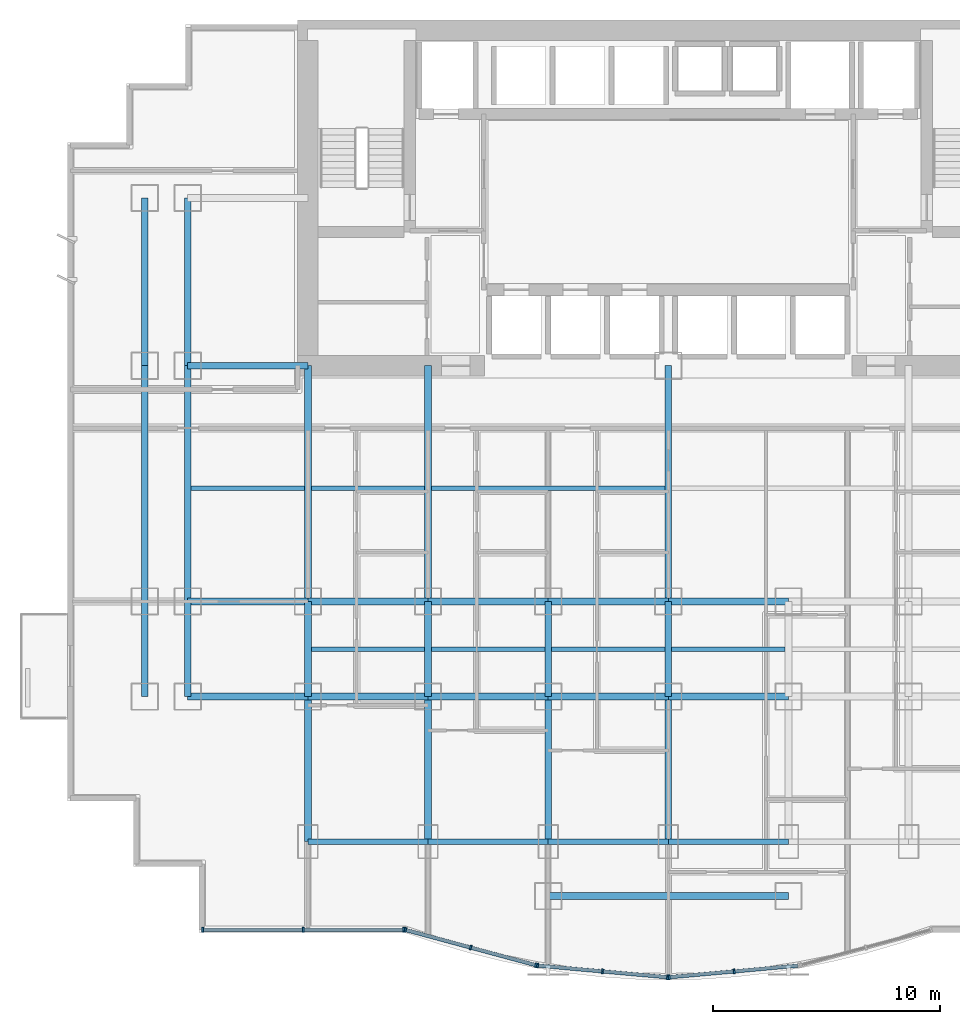
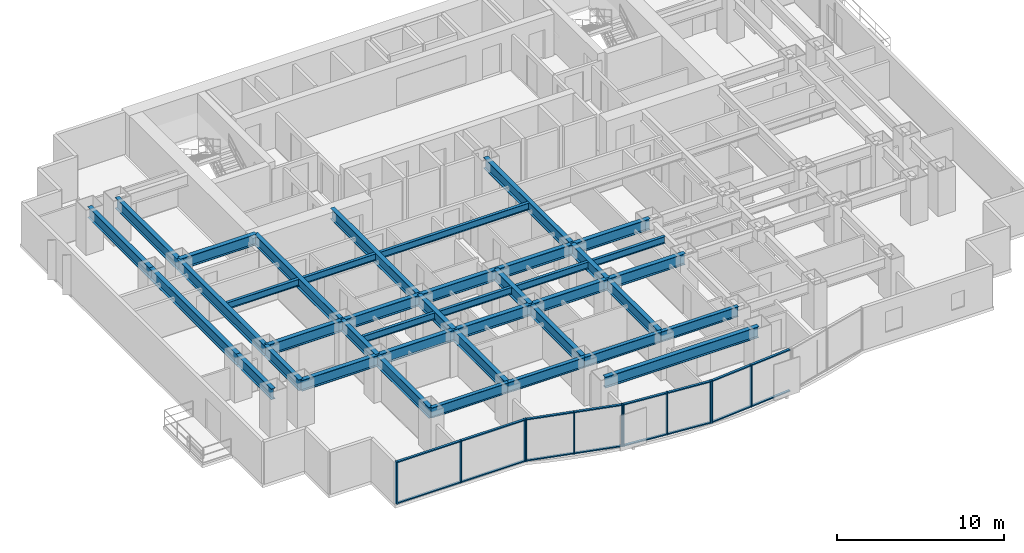
# One storey, part 2 of 10: 40 beams, 27 members, 4 elements without a shape of their own.
"""IFC4 building model written with IfcOpenShell, lengths in metres."""

from ifc_helpers import new_model, si_unit, direction, frame, origin, origin_2d, place, context, subcontext, project, spatial, rectangle, i_section, extrude, source, transform, mapped, material, layer, layer_set, material_profile, profile_set, type_object, element, aggregate, save


model = new_model("IFC4")

# Units and contexts
model_context = context("Model", 3, precision=1e-05, world=origin(), true_north=direction((0.0, 1.0)))
body_context = subcontext(model_context, "Body", "Model", "MODEL_VIEW")
ifc_project = project(units=[si_unit("LENGTHUNIT", "METRE"), si_unit("AREAUNIT", "SQUARE_METRE"), si_unit("VOLUMEUNIT", "CUBIC_METRE"), si_unit("PLANEANGLEUNIT", "RADIAN"), si_unit("MASSUNIT", "GRAM", prefix="KILO")], contexts=[model_context])

# Site, building, storey
site_placement = place(None, origin())
site = spatial("IfcSite", under=ifc_project, at=site_placement, CompositionType="ELEMENT")
building_placement = place(site_placement, origin())
building = spatial("IfcBuilding", under=site, at=building_placement, Name="Qianlan Lanfeng Residences", CompositionType="ELEMENT")
storey_placement = place(building_placement, frame((0.0, 0.0, 40.699951171875)))
storey = spatial("IfcBuildingStorey", under=building, at=storey_placement, Name="L10", CompositionType="ELEMENT", Elevation=40.699951171875)

# Beams
ifc_material_1 = material(Name="Steel SN490B", Category="steel")
ifc_material_profile_1 = material_profile(ifc_material_1, i_section(OverallWidth=0.300048828125, OverallDepth=0.800048828125, WebThickness=0.01611328125, FlangeThickness=0.028076171875, at=origin_2d()), Name="H 800x300x16x28")
ifc_profile_set_1 = profile_set([ifc_material_profile_1], Name="Steel SN490B")
beam_type_1 = type_object("IfcBeamType", Name="G-950", PredefinedType="BEAM", material=ifc_profile_set_1)
beam_1_placement = place(storey_placement, frame((21.199951171875, 1.800048828125, 2.679931640625), z_axis=(1.0, 0.0, 0.0), x_axis=(0.0, 1.0, 0.0)))
element("IfcBeam", 1, at=beam_1_placement, inside=storey, type_object=beam_type_1, Name="Structural beam G-950", PredefinedType="BEAM", context=body_context, shape_type="SweptSolid", body=[
    extrude(i_section(OverallWidth=0.300048828125, OverallDepth=0.800048828125, WebThickness=0.01611328125, FlangeThickness=0.028076171875, at=origin_2d()), origin(), (0.0, 0.0, 1.0), 10.60009765625),
])
beam_2_placement = place(storey_placement, frame((5.300048828125, 10.60009765625, 2.679931640625), z_axis=(1.0, 0.0, 0.0), x_axis=(0.0, 1.0, 0.0)))
element("IfcBeam", 2, at=beam_2_placement, inside=storey, type_object=beam_type_1, Name="Structural beam G-950", PredefinedType="BEAM", context=body_context, shape_type="SweptSolid", body=[
    extrude(i_section(OverallWidth=0.300048828125, OverallDepth=0.800048828125, WebThickness=0.01611328125, FlangeThickness=0.028076171875, at=origin_2d()), origin(), (0.0, 0.0, 1.0), 5.300048828125),
])
beam_3_placement = place(storey_placement, frame((10.60009765625, 10.60009765625, 2.679931640625), z_axis=(1.0, 0.0, 0.0), x_axis=(0.0, 1.0, 0.0)))
element("IfcBeam", 3, at=beam_3_placement, inside=storey, type_object=beam_type_1, Name="Structural beam G-950", PredefinedType="BEAM", context=body_context, shape_type="SweptSolid", body=[
    extrude(i_section(OverallWidth=0.300048828125, OverallDepth=0.800048828125, WebThickness=0.01611328125, FlangeThickness=0.028076171875, at=origin_2d()), origin(), (0.0, 0.0, 1.0), 5.2998046875),
])
for number, where, z_axis, x_axis, name in (
    (4, (15.89990234375, 10.60009765625, 2.679931640625), (1.0, 0.0, 0.0), (0.0, 1.0, 0.0), "Structural beam G-950"),
    (5, (21.199951171875, 10.60009765625, 2.679931640625), (1.0, 0.0, 0.0), (0.0, 1.0, 0.0), "Structural beam G-950"),
    (6, (26.5, 10.60009765625, 2.679931640625), (1.0, 0.0, 0.0), (0.0, 1.0, 0.0), "Structural beam G-950"),
    (7, (5.300048828125, 14.800048828125, 2.679931640625), (1.0, 0.0, 0.0), (0.0, 1.0, 0.0), "Structural beam G-950"),
):
    element("IfcBeam", number, at=place(storey_placement, frame(where, z_axis=z_axis, x_axis=x_axis)), inside=storey, type_object=beam_type_1, Name=name, PredefinedType="BEAM", context=body_context, shape_type="SweptSolid", body=[
        extrude(i_section(OverallWidth=0.300048828125, OverallDepth=0.800048828125, WebThickness=0.01611328125, FlangeThickness=0.028076171875, at=origin_2d()), origin(), (0.0, 0.0, 1.0), 5.300048828125),
    ])
beam_4_placement = place(storey_placement, frame((10.60009765625, 14.800048828125, 2.679931640625), z_axis=(1.0, 0.0, 0.0), x_axis=(0.0, 1.0, 0.0)))
element("IfcBeam", 8, at=beam_4_placement, inside=storey, type_object=beam_type_1, Name="Structural beam G-950", PredefinedType="BEAM", context=body_context, shape_type="SweptSolid", body=[
    extrude(i_section(OverallWidth=0.300048828125, OverallDepth=0.800048828125, WebThickness=0.01611328125, FlangeThickness=0.028076171875, at=origin_2d()), origin(), (0.0, 0.0, 1.0), 5.2998046875),
])
for number, where, z_axis, x_axis, name in (
    (9, (15.89990234375, 14.800048828125, 2.679931640625), (1.0, 0.0, 0.0), (0.0, 1.0, 0.0), "Structural beam G-950"),
    (10, (21.199951171875, 14.800048828125, 2.679931640625), (1.0, 0.0, 0.0), (0.0, 1.0, 0.0), "Structural beam G-950"),
    (11, (26.5, 14.800048828125, 2.679931640625), (1.0, 0.0, 0.0), (0.0, 1.0, 0.0), "Structural beam G-950"),
    (12, (5.300048828125, 25.199951171875, 2.679931640625), (1.0, 0.0, 0.0), (0.0, 1.0, 0.0), "Structural beam G-950"),
):
    element("IfcBeam", number, at=place(storey_placement, frame(where, z_axis=z_axis, x_axis=x_axis)), inside=storey, type_object=beam_type_1, Name=name, PredefinedType="BEAM", context=body_context, shape_type="SweptSolid", body=[
        extrude(i_section(OverallWidth=0.300048828125, OverallDepth=0.800048828125, WebThickness=0.01611328125, FlangeThickness=0.028076171875, at=origin_2d()), origin(), (0.0, 0.0, 1.0), 5.300048828125),
    ])
beam_5_placement = place(storey_placement, frame((3.39990234375, 10.60009765625, 2.679931640625), z_axis=(0.0, 1.0, 0.0), x_axis=(-1.0, 0.0, 0.0)))
element("IfcBeam", 13, at=beam_5_placement, inside=storey, type_object=beam_type_1, Name="Structural beam G-950", PredefinedType="BEAM", context=body_context, shape_type="SweptSolid", body=[
    extrude(i_section(OverallWidth=0.300048828125, OverallDepth=0.800048828125, WebThickness=0.01611328125, FlangeThickness=0.028076171875, at=origin_2d()), origin(), (0.0, 0.0, 1.0), 4.199951171875),
])
beam_6_placement = place(storey_placement, frame((3.39990234375, 14.800048828125, 2.679931640625), z_axis=(0.0, 1.0, 0.0), x_axis=(-1.0, 0.0, 0.0)))
element("IfcBeam", 14, at=beam_6_placement, inside=storey, type_object=beam_type_1, Name="Structural beam G-950", PredefinedType="BEAM", context=body_context, shape_type="SweptSolid", body=[
    extrude(i_section(OverallWidth=0.300048828125, OverallDepth=0.800048828125, WebThickness=0.01611328125, FlangeThickness=0.028076171875, at=origin_2d()), origin(), (0.0, 0.0, 1.0), 10.39990234375),
])
beam_7_placement = place(storey_placement, frame((3.39990234375, 25.199951171875, 2.679931640625), z_axis=(0.0, 1.0, 0.0), x_axis=(-1.0, 0.0, 0.0)))
element("IfcBeam", 15, at=beam_7_placement, inside=storey, type_object=beam_type_1, Name="Structural beam G-950", PredefinedType="BEAM", context=body_context, shape_type="SweptSolid", body=[
    extrude(i_section(OverallWidth=0.300048828125, OverallDepth=0.800048828125, WebThickness=0.01611328125, FlangeThickness=0.028076171875, at=origin_2d()), origin(), (0.0, 0.0, 1.0), 7.400146484375),
])
beam_8_placement = place(storey_placement, frame((5.300048828125, 10.60009765625, 2.679931640625), z_axis=(0.0, 1.0, 0.0), x_axis=(-1.0, 0.0, 0.0)))
element("IfcBeam", 16, at=beam_8_placement, inside=storey, type_object=beam_type_1, Name="Structural beam G-950", PredefinedType="BEAM", context=body_context, shape_type="SweptSolid", body=[
    extrude(i_section(OverallWidth=0.300048828125, OverallDepth=0.800048828125, WebThickness=0.01611328125, FlangeThickness=0.028076171875, at=origin_2d()), origin(), (0.0, 0.0, 1.0), 4.199951171875),
])
beam_9_placement = place(storey_placement, frame((5.300048828125, 14.800048828125, 2.679931640625), z_axis=(0.0, 1.0, 0.0), x_axis=(-1.0, 0.0, 0.0)))
element("IfcBeam", 17, at=beam_9_placement, inside=storey, type_object=beam_type_1, Name="Structural beam G-950", PredefinedType="BEAM", context=body_context, shape_type="SweptSolid", body=[
    extrude(i_section(OverallWidth=0.300048828125, OverallDepth=0.800048828125, WebThickness=0.01611328125, FlangeThickness=0.028076171875, at=origin_2d()), origin(), (0.0, 0.0, 1.0), 10.39990234375),
])
beam_10_placement = place(storey_placement, frame((5.300048828125, 25.199951171875, 2.679931640625), z_axis=(0.0, 1.0, 0.0), x_axis=(-1.0, 0.0, 0.0)))
element("IfcBeam", 18, at=beam_10_placement, inside=storey, type_object=beam_type_1, Name="Structural beam G-950", PredefinedType="BEAM", context=body_context, shape_type="SweptSolid", body=[
    extrude(i_section(OverallWidth=0.300048828125, OverallDepth=0.800048828125, WebThickness=0.01611328125, FlangeThickness=0.028076171875, at=origin_2d()), origin(), (0.0, 0.0, 1.0), 7.400146484375),
])
beam_11_placement = place(storey_placement, frame((10.60009765625, 4.199951171875, 2.679931640625), z_axis=(0.0, 1.0, 0.0), x_axis=(-1.0, 0.0, 0.0)))
element("IfcBeam", 19, at=beam_11_placement, inside=storey, type_object=beam_type_1, Name="Structural beam G-950", PredefinedType="BEAM", context=body_context, shape_type="SweptSolid", body=[
    extrude(i_section(OverallWidth=0.300048828125, OverallDepth=0.800048828125, WebThickness=0.01611328125, FlangeThickness=0.028076171875, at=origin_2d()), origin(), (0.0, 0.0, 1.0), 6.400146484375),
])
beam_12_placement = place(storey_placement, frame((10.60009765625, 10.60009765625, 2.679931640625), z_axis=(0.0, 1.0, 0.0), x_axis=(-1.0, 0.0, 0.0)))
element("IfcBeam", 20, at=beam_12_placement, inside=storey, type_object=beam_type_1, Name="Structural beam G-950", PredefinedType="BEAM", context=body_context, shape_type="SweptSolid", body=[
    extrude(i_section(OverallWidth=0.300048828125, OverallDepth=0.800048828125, WebThickness=0.01611328125, FlangeThickness=0.028076171875, at=origin_2d()), origin(), (0.0, 0.0, 1.0), 4.199951171875),
])
beam_13_placement = place(storey_placement, frame((10.60009765625, 14.800048828125, 2.679931640625), z_axis=(0.0, 1.0, 0.0), x_axis=(-1.0, 0.0, 0.0)))
element("IfcBeam", 21, at=beam_13_placement, inside=storey, type_object=beam_type_1, Name="Structural beam G-950", PredefinedType="BEAM", context=body_context, shape_type="SweptSolid", body=[
    extrude(i_section(OverallWidth=0.300048828125, OverallDepth=0.800048828125, WebThickness=0.01611328125, FlangeThickness=0.028076171875, at=origin_2d()), origin(), (0.0, 0.0, 1.0), 10.39990234375),
])
beam_14_placement = place(storey_placement, frame((15.89990234375, 4.199951171875, 2.679931640625), z_axis=(0.0, 1.0, 0.0), x_axis=(-1.0, 0.0, 0.0)))
element("IfcBeam", 22, at=beam_14_placement, inside=storey, type_object=beam_type_1, Name="Structural beam G-950", PredefinedType="BEAM", context=body_context, shape_type="SweptSolid", body=[
    extrude(i_section(OverallWidth=0.300048828125, OverallDepth=0.800048828125, WebThickness=0.01611328125, FlangeThickness=0.028076171875, at=origin_2d()), origin(), (0.0, 0.0, 1.0), 6.400146484375),
])
beam_15_placement = place(storey_placement, frame((15.89990234375, 10.60009765625, 2.679931640625), z_axis=(0.0, 1.0, 0.0), x_axis=(-1.0, 0.0, 0.0)))
element("IfcBeam", 23, at=beam_15_placement, inside=storey, type_object=beam_type_1, Name="Structural beam G-950", PredefinedType="BEAM", context=body_context, shape_type="SweptSolid", body=[
    extrude(i_section(OverallWidth=0.300048828125, OverallDepth=0.800048828125, WebThickness=0.01611328125, FlangeThickness=0.028076171875, at=origin_2d()), origin(), (0.0, 0.0, 1.0), 4.199951171875),
])
beam_16_placement = place(storey_placement, frame((15.89990234375, 14.800048828125, 2.679931640625), z_axis=(0.0, 1.0, 0.0), x_axis=(-1.0, 0.0, 0.0)))
element("IfcBeam", 24, at=beam_16_placement, inside=storey, type_object=beam_type_1, Name="Structural beam G-950", PredefinedType="BEAM", context=body_context, shape_type="SweptSolid", body=[
    extrude(i_section(OverallWidth=0.300048828125, OverallDepth=0.800048828125, WebThickness=0.01611328125, FlangeThickness=0.028076171875, at=origin_2d()), origin(), (0.0, 0.0, 1.0), 10.39990234375),
])
beam_17_placement = place(storey_placement, frame((21.199951171875, 4.199951171875, 2.679931640625), z_axis=(0.0, 1.0, 0.0), x_axis=(-1.0, 0.0, 0.0)))
element("IfcBeam", 25, at=beam_17_placement, inside=storey, type_object=beam_type_1, Name="Structural beam G-950", PredefinedType="BEAM", context=body_context, shape_type="SweptSolid", body=[
    extrude(i_section(OverallWidth=0.300048828125, OverallDepth=0.800048828125, WebThickness=0.01611328125, FlangeThickness=0.028076171875, at=origin_2d()), origin(), (0.0, 0.0, 1.0), 6.400146484375),
])
beam_18_placement = place(storey_placement, frame((21.199951171875, 10.60009765625, 2.679931640625), z_axis=(0.0, 1.0, 0.0), x_axis=(-1.0, 0.0, 0.0)))
element("IfcBeam", 26, at=beam_18_placement, inside=storey, type_object=beam_type_1, Name="Structural beam G-950", PredefinedType="BEAM", context=body_context, shape_type="SweptSolid", body=[
    extrude(i_section(OverallWidth=0.300048828125, OverallDepth=0.800048828125, WebThickness=0.01611328125, FlangeThickness=0.028076171875, at=origin_2d()), origin(), (0.0, 0.0, 1.0), 4.199951171875),
])
beam_19_placement = place(storey_placement, frame((26.5, 4.199951171875, 2.679931640625), z_axis=(0.0, 1.0, 0.0), x_axis=(-1.0, 0.0, 0.0)))
element("IfcBeam", 27, at=beam_19_placement, inside=storey, type_object=beam_type_1, Name="Structural beam G-950", PredefinedType="BEAM", context=body_context, shape_type="SweptSolid", body=[
    extrude(i_section(OverallWidth=0.300048828125, OverallDepth=0.800048828125, WebThickness=0.01611328125, FlangeThickness=0.028076171875, at=origin_2d()), origin(), (0.0, 0.0, 1.0), 6.400146484375),
])
beam_20_placement = place(storey_placement, frame((26.5, 10.60009765625, 2.679931640625), z_axis=(0.0, 1.0, 0.0), x_axis=(-1.0, 0.0, 0.0)))
element("IfcBeam", 28, at=beam_20_placement, inside=storey, type_object=beam_type_1, Name="Structural beam G-950", PredefinedType="BEAM", context=body_context, shape_type="SweptSolid", body=[
    extrude(i_section(OverallWidth=0.300048828125, OverallDepth=0.800048828125, WebThickness=0.01611328125, FlangeThickness=0.028076171875, at=origin_2d()), origin(), (0.0, 0.0, 1.0), 4.199951171875),
])
beam_21_placement = place(storey_placement, frame((26.5, 14.800048828125, 2.679931640625), z_axis=(0.0, 1.0, 0.0), x_axis=(-1.0, 0.0, 0.0)))
element("IfcBeam", 29, at=beam_21_placement, inside=storey, type_object=beam_type_1, Name="Structural beam G-950", PredefinedType="BEAM", context=body_context, shape_type="SweptSolid", body=[
    extrude(i_section(OverallWidth=0.300048828125, OverallDepth=0.800048828125, WebThickness=0.01611328125, FlangeThickness=0.028076171875, at=origin_2d()), origin(), (0.0, 0.0, 1.0), 10.39990234375),
])
ifc_material_profile_2 = material_profile(ifc_material_1, i_section(OverallWidth=0.199951171875, OverallDepth=0.5, WebThickness=0.010009765625, FlangeThickness=0.01611328125, at=origin_2d()), Name="H 500x200x10x16")
ifc_profile_set_2 = profile_set([ifc_material_profile_2], Name="Steel SN490B")
beam_type_2 = type_object("IfcBeamType", Name="J-500", PredefinedType="JOIST", material=ifc_profile_set_2)
for number, where, z_axis, x_axis, name in (
    (30, (10.75, 12.699951171875, 2.830078125), (1.0, 0.0, 0.0), (0.0, 1.0, 0.0), "Structural beam J-500"),
    (31, (16.050048828125, 12.699951171875, 2.830078125), (1.0, 0.0, 0.0), (0.0, 1.0, 0.0), "Structural beam J-500"),
    (32, (21.35009765625, 12.699951171875, 2.830078125), (1.0, 0.0, 0.0), (0.0, 1.0, 0.0), "Structural beam J-500"),
    (33, (26.64990234375, 12.699951171875, 2.830078125), (1.0, 0.0, 0.0), (0.0, 1.0, 0.0), "Structural beam J-500"),
    (34, (5.449951171875, 19.800048828125, 2.830078125), (1.0, 0.0, 0.0), (0.0, 1.0, 0.0), "Structural beam J-500"),
    (35, (10.75, 19.800048828125, 2.830078125), (1.0, 0.0, 0.0), (0.0, 1.0, 0.0), "Structural beam J-500"),
):
    element("IfcBeam", number, at=place(storey_placement, frame(where, z_axis=z_axis, x_axis=x_axis)), inside=storey, type_object=beam_type_2, Name=name, PredefinedType="JOIST", context=body_context, shape_type="SweptSolid", body=[
        extrude(i_section(OverallWidth=0.199951171875, OverallDepth=0.5, WebThickness=0.010009765625, FlangeThickness=0.01611328125, at=origin_2d()), origin(), (0.0, 0.0, 1.0), 5.0),
    ])
beam_22_placement = place(storey_placement, frame((16.050048828125, 19.800048828125, 2.830078125), z_axis=(1.0, 0.0, 0.0), x_axis=(0.0, 1.0, 0.0)))
element("IfcBeam", 36, at=beam_22_placement, inside=storey, type_object=beam_type_2, Name="Structural beam J-500", PredefinedType="JOIST", context=body_context, shape_type="SweptSolid", body=[
    extrude(i_section(OverallWidth=0.199951171875, OverallDepth=0.5, WebThickness=0.010009765625, FlangeThickness=0.01611328125, at=origin_2d()), origin(), (0.0, 0.0, 1.0), 10.300048828125),
])
ifc_material_profile_3 = material_profile(ifc_material_1, i_section(OverallWidth=0.25, OverallDepth=0.75, WebThickness=0.013916015625, FlangeThickness=0.02490234375, at=origin_2d()), Name="H 750x250x14x25")
ifc_profile_set_3 = profile_set([ifc_material_profile_3], Name="Steel SN490B")
beam_type_3 = type_object("IfcBeamType", Name="SG-850", PredefinedType="SPANDREL", material=ifc_profile_set_3)
beam_23_placement = place(storey_placement, frame((10.60009765625, 4.199951171875, 2.705078125), z_axis=(1.0, 0.0, 0.0), x_axis=(0.0, 1.0, 0.0)))
element("IfcBeam", 37, at=beam_23_placement, inside=storey, type_object=beam_type_3, Name="Structural beam SG-850", PredefinedType="SPANDREL", context=body_context, shape_type="SweptSolid", body=[
    extrude(i_section(OverallWidth=0.25, OverallDepth=0.75, WebThickness=0.013916015625, FlangeThickness=0.02490234375, at=origin_2d()), origin(), (0.0, 0.0, 1.0), 5.2998046875),
])
for number, where, z_axis, x_axis, name in (
    (38, (15.89990234375, 4.199951171875, 2.705078125), (1.0, 0.0, 0.0), (0.0, 1.0, 0.0), "Structural beam SG-850"),
    (39, (21.199951171875, 4.199951171875, 2.705078125), (1.0, 0.0, 0.0), (0.0, 1.0, 0.0), "Structural beam SG-850"),
    (40, (26.5, 4.199951171875, 2.705078125), (1.0, 0.0, 0.0), (0.0, 1.0, 0.0), "Structural beam SG-850"),
):
    element("IfcBeam", number, at=place(storey_placement, frame(where, z_axis=z_axis, x_axis=x_axis)), inside=storey, type_object=beam_type_3, Name=name, PredefinedType="SPANDREL", context=body_context, shape_type="SweptSolid", body=[
        extrude(i_section(OverallWidth=0.25, OverallDepth=0.75, WebThickness=0.013916015625, FlangeThickness=0.02490234375, at=origin_2d()), origin(), (0.0, 0.0, 1.0), 5.300048828125),
    ])

# Curtain wall, members
ifc_material_2 = material(Name="Anodised Bronze Aluminium 6063-T6", Category="aluminium")
ifc_layer = layer(ifc_material_2, 0.219970703125)
ifc_layer_set = layer_set([ifc_layer], Name="Anodised Bronze Aluminium 6063-T6")
curtain_wall_type = type_object("IfcCurtainWallType", Name="CW-02", PredefinedType="NOTDEFINED", material=ifc_layer_set)
curtain_wall_1_placement = place(storey_placement, origin())
curtain_wall_1 = element("IfcCurtainWall", 41, at=curtain_wall_1_placement, inside=storey, type_object=curtain_wall_type, Name="L10 Unitised Curtain Wall CWR-L10-01 (CW-02)", PredefinedType="NOTDEFINED")
ifc_material_profile_4 = material_profile(ifc_material_2, rectangle(XDim=0.080078125, YDim=0.2099609375, at=origin_2d()), Name="ALU MULLION 80x210")
ifc_profile_set_4 = profile_set([ifc_material_profile_4], Name="Anodised Bronze Aluminium 6063-T6")
member_type_1 = type_object("IfcMemberType", Name="CWM-220", PredefinedType="MULLION", material=ifc_profile_set_4)
shared_shape_1 = source(origin(), body_context, "Body", "SweptSolid", [
    extrude(rectangle(XDim=0.080078125, YDim=0.2099609375, at=origin_2d()), origin(), (0.0, 0.0, 1.0), 3.080078125),
])
member_1_placement = place(storey_placement, frame((5.9599609375, 0.320068359375, 0.0), z_axis=(0.0, 0.0, 1.0), x_axis=(1.0, 0.0, 0.0)))
member_1 = element("IfcMember", 42, at=member_1_placement, type_object=member_type_1, Name="CWR-L10-01 Mullion 1", PredefinedType="MULLION", context=body_context, shape_type="MappedRepresentation", body=[
    mapped(shared_shape_1, transform((0.0, 0.0, 0.0), scale=1.0)),
])
member_2_placement = place(storey_placement, frame((10.39501953125, 0.320068359375, 0.0), z_axis=(0.0, 0.0, 1.0), x_axis=(1.0, 0.0, 0.0)))
member_2 = element("IfcMember", 43, at=member_2_placement, type_object=member_type_1, Name="CWR-L10-01 Mullion 2", PredefinedType="MULLION", context=body_context, shape_type="MappedRepresentation", body=[
    mapped(shared_shape_1, transform((0.0, 0.0, 0.0), scale=1.0)),
])
member_3_placement = place(storey_placement, frame((14.830078125, 0.320068359375, 0.0), z_axis=(0.0, 0.0, 1.0), x_axis=(1.0, 0.0, 0.0)))
member_3 = element("IfcMember", 44, at=member_3_placement, type_object=member_type_1, Name="CWR-L10-01 Mullion 3", PredefinedType="MULLION", context=body_context, shape_type="MappedRepresentation", body=[
    mapped(shared_shape_1, transform((0.0, 0.0, 0.0), scale=1.0)),
])

curtain_wall_2_placement = place(storey_placement, origin())
curtain_wall_2 = element("IfcCurtainWall", 45, at=curtain_wall_2_placement, inside=storey, type_object=curtain_wall_type, Name="L10 Unitised Curtain Wall CWR-L10-02 (CW-02)", PredefinedType="NOTDEFINED")
member_4_placement = place(storey_placement, frame((14.90869140625, 0.3095703125, 0.0), z_axis=(0.0, 0.0, 1.0), x_axis=(0.9652627173, -0.261281240412, 0.0)))
member_4 = element("IfcMember", 46, at=member_4_placement, type_object=member_type_1, Name="CWR-L10-02 Mullion 1", PredefinedType="MULLION", context=body_context, shape_type="MappedRepresentation", body=[
    mapped(shared_shape_1, transform((0.0, 0.0, 0.0), scale=1.0)),
])
member_5_placement = place(storey_placement, frame((17.782958984375, -0.468505859375, 0.0), z_axis=(0.0, 0.0, 1.0), x_axis=(0.9652627173, -0.261281240412, 0.0)))
member_5 = element("IfcMember", 47, at=member_5_placement, type_object=member_type_1, Name="CWR-L10-02 Mullion 2", PredefinedType="MULLION", context=body_context, shape_type="MappedRepresentation", body=[
    mapped(shared_shape_1, transform((0.0, 0.0, 0.0), scale=1.0)),
])
member_6_placement = place(storey_placement, frame((20.657470703125, -1.24658203125, 0.0), z_axis=(0.0, 0.0, 1.0), x_axis=(0.9652627173, -0.261281240412, 0.0)))
member_6 = element("IfcMember", 48, at=member_6_placement, type_object=member_type_1, Name="CWR-L10-02 Mullion 3", PredefinedType="MULLION", context=body_context, shape_type="MappedRepresentation", body=[
    mapped(shared_shape_1, transform((0.0, 0.0, 0.0), scale=1.0)),
])

curtain_wall_3_placement = place(storey_placement, origin())
curtain_wall_3 = element("IfcCurtainWall", 49, at=curtain_wall_3_placement, inside=storey, type_object=curtain_wall_type, Name="L10 Unitised Curtain Wall CWR-L10-03 (CW-02)", PredefinedType="NOTDEFINED")
member_7_placement = place(storey_placement, frame((20.73583984375, -1.260498046875, 0.0), z_axis=(0.0, 0.0, 1.0), x_axis=(0.995964677764, -0.089746089862, 0.0)))
member_7 = element("IfcMember", 50, at=member_7_placement, type_object=member_type_1, Name="CWR-L10-03 Mullion 1", PredefinedType="MULLION", context=body_context, shape_type="MappedRepresentation", body=[
    mapped(shared_shape_1, transform((0.0, 0.0, 0.0), scale=1.0)),
])
member_8_placement = place(storey_placement, frame((23.597900390625, -1.5185546875, 0.0), z_axis=(0.0, 0.0, 1.0), x_axis=(0.995964677764, -0.089746089862, 0.0)))
member_8 = element("IfcMember", 51, at=member_8_placement, type_object=member_type_1, Name="CWR-L10-03 Mullion 2", PredefinedType="MULLION", context=body_context, shape_type="MappedRepresentation", body=[
    mapped(shared_shape_1, transform((0.0, 0.0, 0.0), scale=1.0)),
])
member_9_placement = place(storey_placement, frame((26.460205078125, -1.7763671875, 0.0), z_axis=(0.0, 0.0, 1.0), x_axis=(0.995964677764, -0.089746089862, 0.0)))
member_9 = element("IfcMember", 52, at=member_9_placement, type_object=member_type_1, Name="CWR-L10-03 Mullion 3", PredefinedType="MULLION", context=body_context, shape_type="MappedRepresentation", body=[
    mapped(shared_shape_1, transform((0.0, 0.0, 0.0), scale=1.0)),
])

curtain_wall_4_placement = place(storey_placement, origin())
curtain_wall_4 = element("IfcCurtainWall", 53, at=curtain_wall_4_placement, inside=storey, type_object=curtain_wall_type, Name="L10 Unitised Curtain Wall CWR-L10-04 (CW-02)", PredefinedType="NOTDEFINED")
member_10_placement = place(storey_placement, frame((26.539794921875, -1.7763671875, 0.0), z_axis=(0.0, 0.0, 1.0), x_axis=(0.995964677764, 0.089746089862, 0.0)))
member_10 = element("IfcMember", 54, at=member_10_placement, type_object=member_type_1, Name="CWR-L10-04 Mullion 1", PredefinedType="MULLION", context=body_context, shape_type="MappedRepresentation", body=[
    mapped(shared_shape_1, transform((0.0, 0.0, 0.0), scale=1.0)),
])
member_11_placement = place(storey_placement, frame((29.402099609375, -1.5185546875, 0.0), z_axis=(0.0, 0.0, 1.0), x_axis=(0.995964677764, 0.089746089862, 0.0)))
member_11 = element("IfcMember", 55, at=member_11_placement, type_object=member_type_1, Name="CWR-L10-04 Mullion 2", PredefinedType="MULLION", context=body_context, shape_type="MappedRepresentation", body=[
    mapped(shared_shape_1, transform((0.0, 0.0, 0.0), scale=1.0)),
])

# Member
ifc_material_profile_5 = material_profile(ifc_material_2, rectangle(XDim=0.080078125, YDim=0.159912109375, at=origin_2d()), Name="ALU TRANSOM 80x160")
ifc_profile_set_5 = profile_set([ifc_material_profile_5], Name="Anodised Bronze Aluminium 6063-T6")
member_type_2 = type_object("IfcMemberType", Name="CWT-180", PredefinedType="USERDEFINED", material=ifc_profile_set_5)
shared_shape_2 = source(origin(), body_context, "Body", "SweptSolid", [
    extrude(rectangle(XDim=0.080078125, YDim=0.159912109375, at=origin_2d()), origin(), (0.0, 0.0, 1.0), 2.897705078125),
])
member_12_placement = place(storey_placement, frame((14.947265625, 0.299072265625, 0.0400390625), z_axis=(0.965267548724, -0.261263390817, 0.0), x_axis=(0.0, 0.0, 1.0)))
member_12 = element("IfcMember", 56, at=member_12_placement, type_object=member_type_2, Name="CWR-L10-02 Transom 1-BOT", ObjectType="TRANSOM", PredefinedType="USERDEFINED", context=body_context, shape_type="MappedRepresentation", body=[
    mapped(shared_shape_2, transform((0.0, 0.0, 0.0), scale=1.0)),
])

member_13_placement = place(storey_placement, frame((14.947265625, 0.299072265625, 3.0400390625), z_axis=(0.965267548724, -0.261263390817, 0.0), x_axis=(0.0, 0.0, 1.0)))
member_13 = element("IfcMember", 57, at=member_13_placement, type_object=member_type_2, Name="CWR-L10-02 Transom 1-TOP", ObjectType="TRANSOM", PredefinedType="USERDEFINED", context=body_context, shape_type="MappedRepresentation", body=[
    mapped(shared_shape_2, transform((0.0, 0.0, 0.0), scale=1.0)),
])

shared_shape_3 = source(origin(), body_context, "Body", "SweptSolid", [
    extrude(rectangle(XDim=0.080078125, YDim=0.159912109375, at=origin_2d()), origin(), (0.0, 0.0, 1.0), 2.89794921875),
])
member_14_placement = place(storey_placement, frame((17.821533203125, -0.47900390625, 0.0400390625), z_axis=(0.965273298897, -0.261242145215, 0.0), x_axis=(0.0, 0.0, 1.0)))
member_14 = element("IfcMember", 58, at=member_14_placement, type_object=member_type_2, Name="CWR-L10-02 Transom 2-BOT", ObjectType="TRANSOM", PredefinedType="USERDEFINED", context=body_context, shape_type="MappedRepresentation", body=[
    mapped(shared_shape_3, transform((0.0, 0.0, 0.0), scale=1.0)),
])

member_15_placement = place(storey_placement, frame((17.821533203125, -0.47900390625, 3.0400390625), z_axis=(0.965273298897, -0.261242145215, 0.0), x_axis=(0.0, 0.0, 1.0)))
member_15 = element("IfcMember", 59, at=member_15_placement, type_object=member_type_2, Name="CWR-L10-02 Transom 2-TOP", ObjectType="TRANSOM", PredefinedType="USERDEFINED", context=body_context, shape_type="MappedRepresentation", body=[
    mapped(shared_shape_3, transform((0.0, 0.0, 0.0), scale=1.0)),
])

aggregate(curtain_wall_2, [member_4, member_5, member_6, member_12, member_13, member_14, member_15])

shared_shape_4 = source(origin(), body_context, "Body", "SweptSolid", [
    extrude(rectangle(XDim=0.080078125, YDim=0.159912109375, at=origin_2d()), origin(), (0.0, 0.0, 1.0), 2.793701171875),
])
member_16_placement = place(storey_placement, frame((20.775634765625, -1.26416015625, 0.0400390625), z_axis=(0.995964524532, -0.089747790357, 0.0), x_axis=(0.0, 0.0, 1.0)))
member_16 = element("IfcMember", 60, at=member_16_placement, type_object=member_type_2, Name="CWR-L10-03 Transom 1-BOT", ObjectType="TRANSOM", PredefinedType="USERDEFINED", context=body_context, shape_type="MappedRepresentation", body=[
    mapped(shared_shape_4, transform((0.0, 0.0, 0.0), scale=1.0)),
])

member_17_placement = place(storey_placement, frame((20.775634765625, -1.26416015625, 3.0400390625), z_axis=(0.995964524532, -0.089747790357, 0.0), x_axis=(0.0, 0.0, 1.0)))
member_17 = element("IfcMember", 61, at=member_17_placement, type_object=member_type_2, Name="CWR-L10-03 Transom 1-TOP", ObjectType="TRANSOM", PredefinedType="USERDEFINED", context=body_context, shape_type="MappedRepresentation", body=[
    mapped(shared_shape_4, transform((0.0, 0.0, 0.0), scale=1.0)),
])

member_18_placement = place(storey_placement, frame((23.637939453125, -1.522216796875, 0.0400390625), z_axis=(0.995972332078, -0.089661104915, 0.0), x_axis=(0.0, 0.0, 1.0)))
member_18 = element("IfcMember", 62, at=member_18_placement, type_object=member_type_2, Name="CWR-L10-03 Transom 2-BOT", ObjectType="TRANSOM", PredefinedType="USERDEFINED", context=body_context, shape_type="MappedRepresentation", body=[
    mapped(shared_shape_4, transform((0.0, 0.0, 0.0), scale=1.0)),
])

member_19_placement = place(storey_placement, frame((23.637939453125, -1.522216796875, 3.0400390625), z_axis=(0.995972332078, -0.089661104915, 0.0), x_axis=(0.0, 0.0, 1.0)))
member_19 = element("IfcMember", 63, at=member_19_placement, type_object=member_type_2, Name="CWR-L10-03 Transom 2-TOP", ObjectType="TRANSOM", PredefinedType="USERDEFINED", context=body_context, shape_type="MappedRepresentation", body=[
    mapped(shared_shape_4, transform((0.0, 0.0, 0.0), scale=1.0)),
])

aggregate(curtain_wall_3, [member_7, member_8, member_9, member_16, member_17, member_18, member_19])

member_20_placement = place(storey_placement, frame((29.44189453125, -1.514892578125, 0.0400390625), z_axis=(0.995964524532, 0.089747790357, 0.0), x_axis=(0.0, 0.0, 1.0)))
member_20 = element("IfcMember", 64, at=member_20_placement, type_object=member_type_2, Name="CWR-L10-04 Transom 2-BOT", ObjectType="TRANSOM", PredefinedType="USERDEFINED", context=body_context, shape_type="MappedRepresentation", body=[
    mapped(shared_shape_4, transform((0.0, 0.0, 0.0), scale=1.0)),
])

member_21_placement = place(storey_placement, frame((29.44189453125, -1.514892578125, 3.0400390625), z_axis=(0.995964524532, 0.089747790357, 0.0), x_axis=(0.0, 0.0, 1.0)))
member_21 = element("IfcMember", 65, at=member_21_placement, type_object=member_type_2, Name="CWR-L10-04 Transom 2-TOP", ObjectType="TRANSOM", PredefinedType="USERDEFINED", context=body_context, shape_type="MappedRepresentation", body=[
    mapped(shared_shape_4, transform((0.0, 0.0, 0.0), scale=1.0)),
])

shared_shape_5 = source(origin(), body_context, "Body", "SweptSolid", [
    extrude(rectangle(XDim=0.080078125, YDim=0.159912109375, at=origin_2d()), origin(), (0.0, 0.0, 1.0), 2.7939453125),
])
member_22_placement = place(storey_placement, frame((26.57958984375, -1.772705078125, 0.0400390625), z_axis=(0.995973034517, 0.089653301756, 0.0), x_axis=(0.0, 0.0, 1.0)))
member_22 = element("IfcMember", 66, at=member_22_placement, type_object=member_type_2, Name="CWR-L10-04 Transom 1-BOT", ObjectType="TRANSOM", PredefinedType="USERDEFINED", context=body_context, shape_type="MappedRepresentation", body=[
    mapped(shared_shape_5, transform((0.0, 0.0, 0.0), scale=1.0)),
])

member_23_placement = place(storey_placement, frame((26.57958984375, -1.772705078125, 3.0400390625), z_axis=(0.995973034517, 0.089653301756, 0.0), x_axis=(0.0, 0.0, 1.0)))
member_23 = element("IfcMember", 67, at=member_23_placement, type_object=member_type_2, Name="CWR-L10-04 Transom 1-TOP", ObjectType="TRANSOM", PredefinedType="USERDEFINED", context=body_context, shape_type="MappedRepresentation", body=[
    mapped(shared_shape_5, transform((0.0, 0.0, 0.0), scale=1.0)),
])

aggregate(curtain_wall_4, [member_10, member_11, member_22, member_23, member_20, member_21])

shared_shape_6 = source(origin(), body_context, "Body", "SweptSolid", [
    extrude(rectangle(XDim=0.080078125, YDim=0.159912109375, at=origin_2d()), origin(), (0.0, 0.0, 1.0), 4.35498046875),
])
member_24_placement = place(storey_placement, frame((6.0, 0.320068359375, 0.0400390625), z_axis=(1.0, 0.0, 0.0), x_axis=(0.0, 0.0, 1.0)))
member_24 = element("IfcMember", 68, at=member_24_placement, type_object=member_type_2, Name="CWR-L10-01 Transom 1-BOT", ObjectType="TRANSOM", PredefinedType="USERDEFINED", context=body_context, shape_type="MappedRepresentation", body=[
    mapped(shared_shape_6, transform((0.0, 0.0, 0.0), scale=1.0)),
])

member_25_placement = place(storey_placement, frame((6.0, 0.320068359375, 3.0400390625), z_axis=(1.0, 0.0, 0.0), x_axis=(0.0, 0.0, 1.0)))
member_25 = element("IfcMember", 69, at=member_25_placement, type_object=member_type_2, Name="CWR-L10-01 Transom 1-TOP", ObjectType="TRANSOM", PredefinedType="USERDEFINED", context=body_context, shape_type="MappedRepresentation", body=[
    mapped(shared_shape_6, transform((0.0, 0.0, 0.0), scale=1.0)),
])

member_26_placement = place(storey_placement, frame((10.43505859375, 0.320068359375, 0.0400390625), z_axis=(1.0, 0.0, 0.0), x_axis=(0.0, 0.0, 1.0)))
member_26 = element("IfcMember", 70, at=member_26_placement, type_object=member_type_2, Name="CWR-L10-01 Transom 2-BOT", ObjectType="TRANSOM", PredefinedType="USERDEFINED", context=body_context, shape_type="MappedRepresentation", body=[
    mapped(shared_shape_6, transform((0.0, 0.0, 0.0), scale=1.0)),
])

member_27_placement = place(storey_placement, frame((10.43505859375, 0.320068359375, 3.0400390625), z_axis=(1.0, 0.0, 0.0), x_axis=(0.0, 0.0, 1.0)))
member_27 = element("IfcMember", 71, at=member_27_placement, type_object=member_type_2, Name="CWR-L10-01 Transom 2-TOP", ObjectType="TRANSOM", PredefinedType="USERDEFINED", context=body_context, shape_type="MappedRepresentation", body=[
    mapped(shared_shape_6, transform((0.0, 0.0, 0.0), scale=1.0)),
])

aggregate(curtain_wall_1, [member_1, member_2, member_3, member_24, member_25, member_26, member_27])

save(model, "model.ifc")
